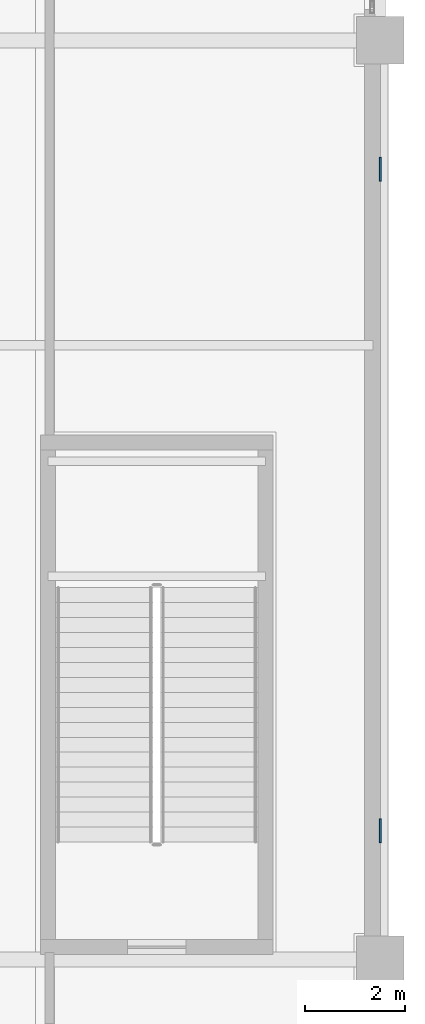
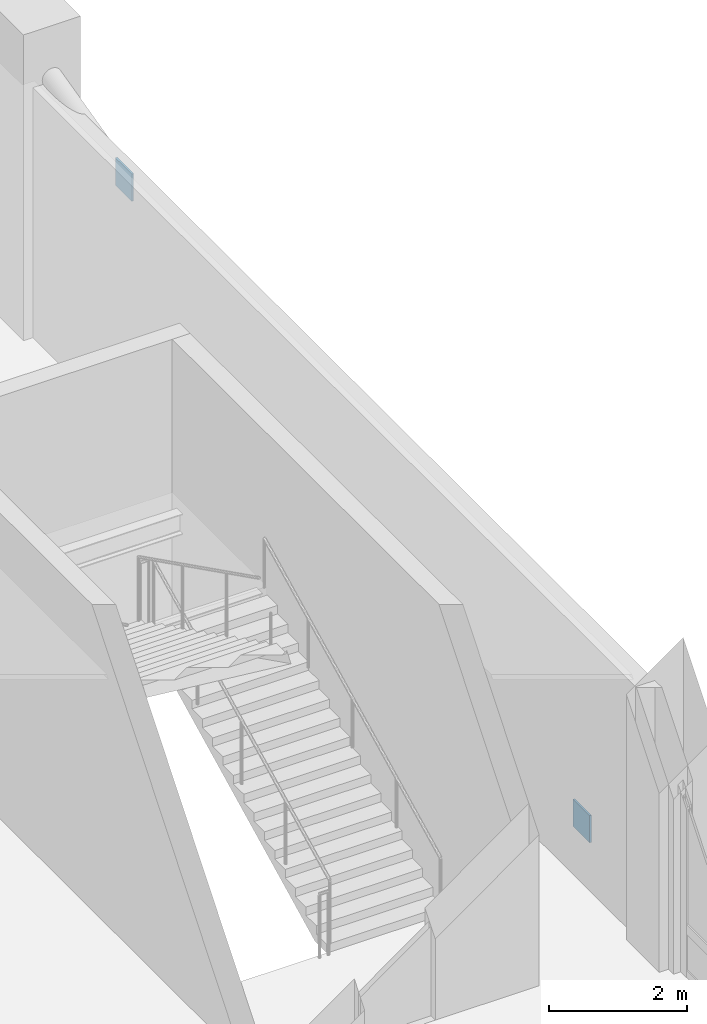
# One storey, part 28 of 43: 2 plates.
"""IFC4 building model written with IfcOpenShell, lengths in metres."""

from ifc_helpers import new_model, si_unit, direction, frame, origin, origin_2d, place, context, subcontext, project, spatial, rectangle, extrude, material, layer, layer_set, type_object, element, save


model = new_model("IFC4")

# Units and contexts
model_context = context("Model", 3, precision=1e-05, world=origin(), true_north=direction((0.0, 1.0)))
body_context = subcontext(model_context, "Body", "Model", "MODEL_VIEW")
ifc_project = project(units=[si_unit("LENGTHUNIT", "METRE"), si_unit("AREAUNIT", "SQUARE_METRE"), si_unit("VOLUMEUNIT", "CUBIC_METRE"), si_unit("PLANEANGLEUNIT", "RADIAN"), si_unit("MASSUNIT", "GRAM", prefix="KILO")], contexts=[model_context])

# Site, building, storey
site_placement = place(None, origin())
site = spatial("IfcSite", under=ifc_project, at=site_placement, CompositionType="ELEMENT")
building_placement = place(site_placement, origin())
building = spatial("IfcBuilding", under=site, at=building_placement, Name="Punatoya Terracotta Tower", CompositionType="ELEMENT")
storey_placement = place(building_placement, frame((0.0, 0.0, 6.0)))
storey = spatial("IfcBuildingStorey", under=building, at=storey_placement, Name="L01", CompositionType="ELEMENT", Elevation=6.0)

# Plates
ifc_material = material(Name="Steel S460", Category="steel")
ifc_layer = layer(ifc_material, 0.031982421875)
ifc_layer_set = layer_set([ifc_layer], Name="Steel S460")
plate_type = type_object("IfcPlateType", Name="PLT-END-32", PredefinedType="USERDEFINED", material=ifc_layer_set)
for number, where, z_axis, x_axis, name in (
    (1, (37.0, -6.6240234375, 0.421142578125), (0.0, 0.0, 1.0), (1.0, 0.0, 0.0), "L01 Podium Brace PBR-2 End Connection Plate 1"),
    (2, (37.0, 6.6240234375, 3.71875), (0.0, 0.0, 1.0), (1.0, 0.0, 0.0), "L01 Podium Brace PBR-2 End Connection Plate 2"),
):
    element("IfcPlate", number, at=place(storey_placement, frame(where, z_axis=z_axis, x_axis=x_axis)), inside=storey, type_object=plate_type, Name=name, ObjectType="FLANGE_PLATE", PredefinedType="USERDEFINED", context=body_context, shape_type="SweptSolid", body=[
        extrude(rectangle(XDim=0.031982421875, YDim=0.47998046875, at=origin_2d()), origin(), (0.0, 0.0, 1.0), 0.47998046875),
    ])

save(model, "model.ifc")
